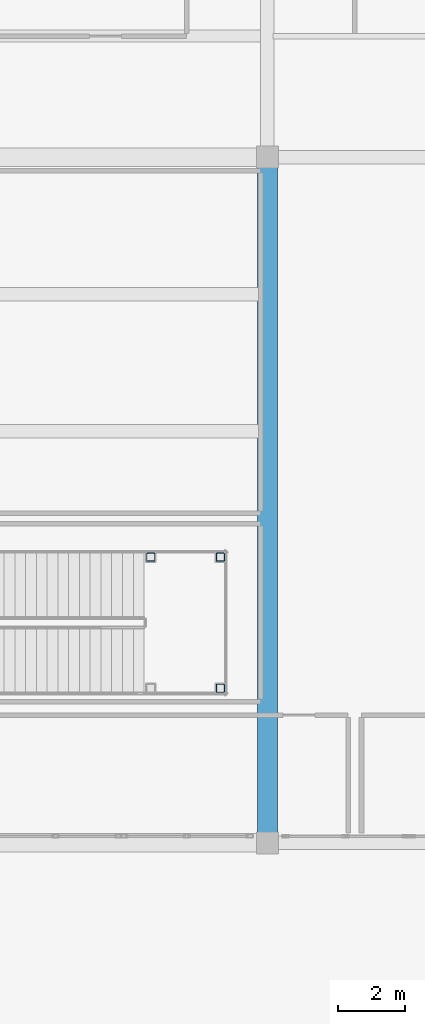
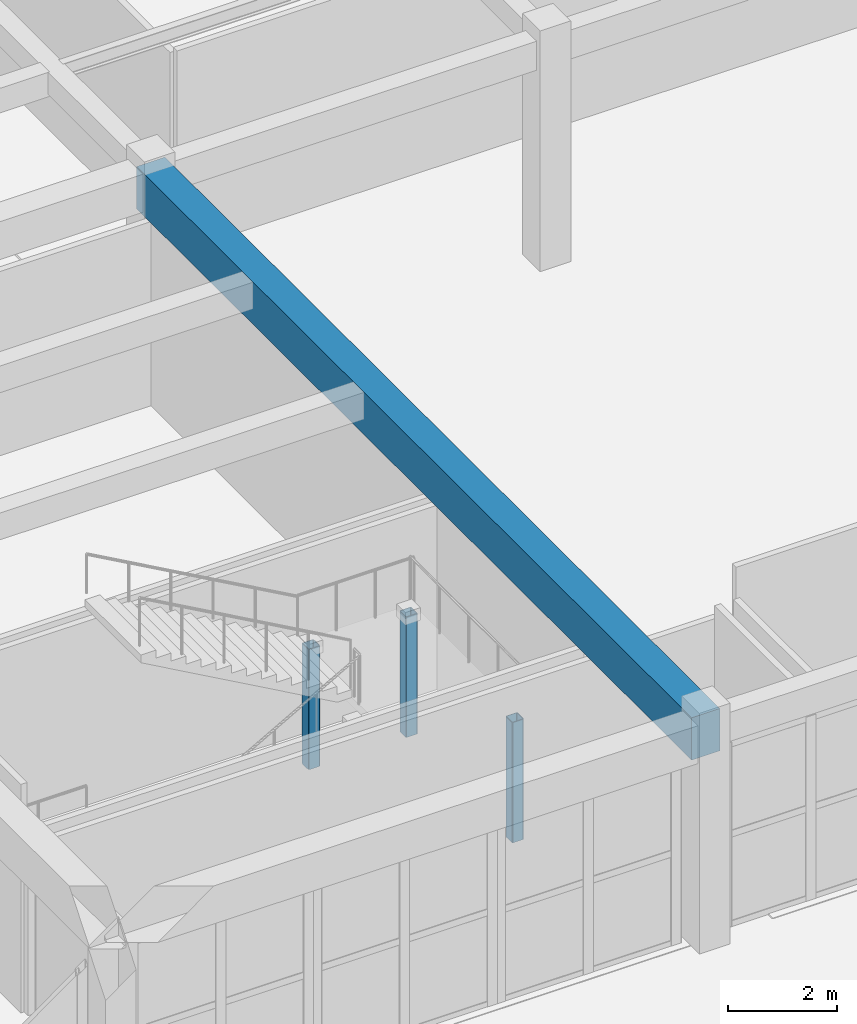
# One storey, part 21 of 98: 3 members, 1 beam.
"""IFC4 building model written with IfcOpenShell, lengths in metres."""

from ifc_helpers import new_model, si_unit, direction, frame, origin, origin_2d, place, context, subcontext, project, spatial, rectangle, hollow_rectangle, extrude, material, material_profile, profile_set, type_object, element, save


model = new_model("IFC4")

# Units and contexts
model_context = context("Model", 3, precision=1e-05, world=origin(), true_north=direction((0.0, 1.0)))
body_context = subcontext(model_context, "Body", "Model", "MODEL_VIEW")
ifc_project = project(units=[si_unit("LENGTHUNIT", "METRE"), si_unit("AREAUNIT", "SQUARE_METRE"), si_unit("VOLUMEUNIT", "CUBIC_METRE"), si_unit("PLANEANGLEUNIT", "RADIAN"), si_unit("MASSUNIT", "GRAM", prefix="KILO")], contexts=[model_context])

# Site, building, storey
site_placement = place(None, origin())
site = spatial("IfcSite", under=ifc_project, at=site_placement, CompositionType="ELEMENT")
building_placement = place(site_placement, origin())
building = spatial("IfcBuilding", under=site, at=building_placement, Name="Tarnavel Promenade Courthouse", CompositionType="ELEMENT")
storey_placement = place(building_placement, origin())
storey = spatial("IfcBuildingStorey", under=building, at=storey_placement, Name="L01", CompositionType="ELEMENT", Elevation=0.0)

# Beam
ifc_material_1 = material(Name="Concrete C40/50", Category="concrete")
ifc_material_profile_1 = material_profile(ifc_material_1, rectangle(XDim=0.60009765625, YDim=0.949951171875, at=origin_2d()), Name="PT 600x950")
ifc_profile_set_1 = profile_set([ifc_material_profile_1], Name="Concrete C40/50")
beam_type = type_object("IfcBeamType", Name="Concrete C40/50 BM-PT-600x950 (PT 600x950)", PredefinedType="T_BEAM", material=ifc_profile_set_1)
beam_placement = place(storey_placement, frame((58.800048828125, 46.800048828125, 4.6201171875), z_axis=(0.0, 1.0, 0.0), x_axis=(-1.0, 0.0, 0.0)))
element("IfcBeam", 1, at=beam_placement, inside=storey, type_object=beam_type, Name="L01 Transverse Girder 0789", PredefinedType="T_BEAM", context=body_context, shape_type="SweptSolid", body=[
    extrude(rectangle(XDim=0.60009765625, YDim=0.949951171875, at=origin_2d()), origin(), (0.0, 0.0, 1.0), 20.39990234375),
])

# Members
ifc_material_2 = material(Name="Steel S355J2", Category="steel")
ifc_material_profile_2 = material_profile(ifc_material_2, hollow_rectangle(XDim=0.25, YDim=0.25, WallThickness=0.012451171875, InnerFilletRadius=0.012451171875, OuterFilletRadius=0.02490234375, at=origin_2d()), Name="SHS 250x250x12.5")
ifc_profile_set_2 = profile_set([ifc_material_profile_2], Name="Steel S355J2")
member_type = type_object("IfcMemberType", Name="Steel S355J2 MEM-STR-SHS250 (SHS 250x250x12.5)", PredefinedType="STRUT", material=ifc_profile_set_2)
for number, where, z_axis, x_axis, name in (
    (2, (57.39990234375, 51.39990234375, 0.0), (0.0, 0.0, 1.0), (1.0, 0.0, 0.0), "L01 ST-10 Monumental Stair Landing Post 2"),
    (3, (55.330078125, 55.300048828125, 0.0), (0.0, 0.0, 1.0), (1.0, 0.0, 0.0), "L01 ST-10 Monumental Stair Landing Post 3"),
    (4, (57.39990234375, 55.300048828125, 0.0), (0.0, 0.0, 1.0), (1.0, 0.0, 0.0), "L01 ST-10 Monumental Stair Landing Post 4"),
):
    element("IfcMember", number, at=place(storey_placement, frame(where, z_axis=z_axis, x_axis=x_axis)), inside=storey, type_object=member_type, Name=name, PredefinedType="STRUT", context=body_context, shape_type="SweptSolid", body=[
        extrude(hollow_rectangle(XDim=0.25, YDim=0.25, WallThickness=0.012451171875, InnerFilletRadius=0.012451171875, OuterFilletRadius=0.02490234375, at=origin_2d()), origin(), (0.0, 0.0, 1.0), 2.699951171875),
    ])

save(model, "model.ifc")
